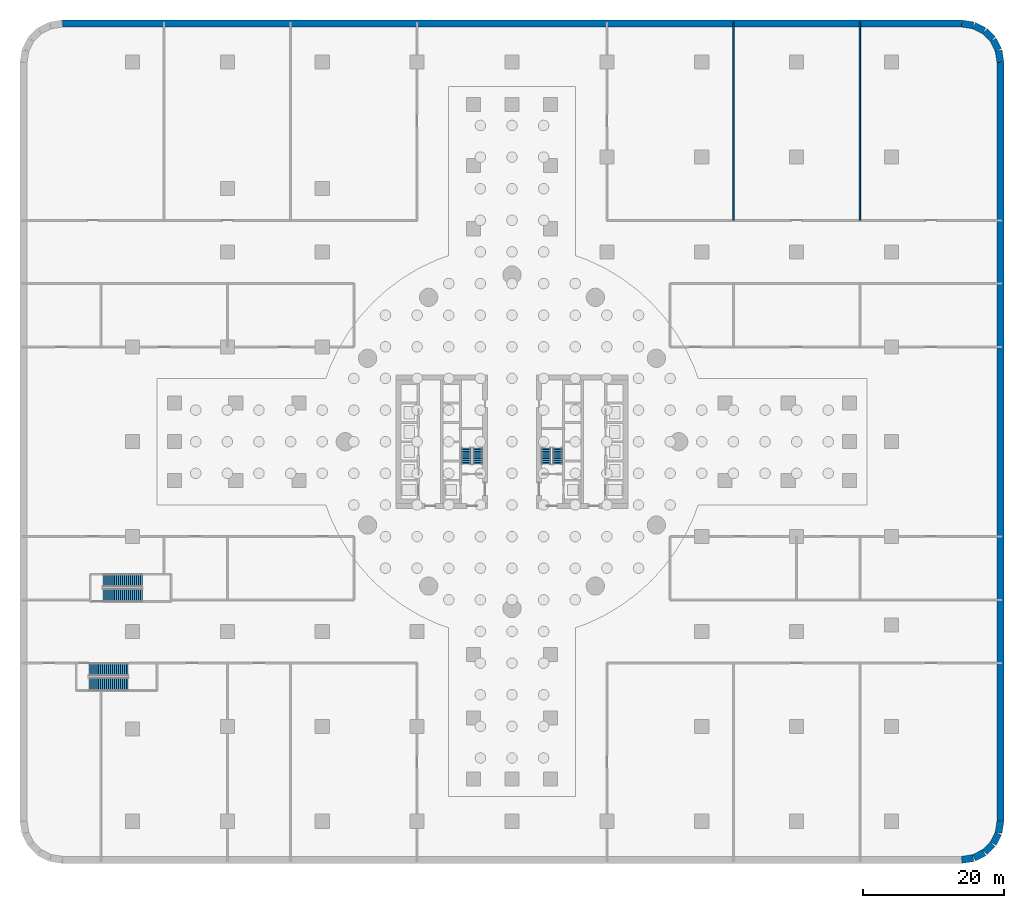
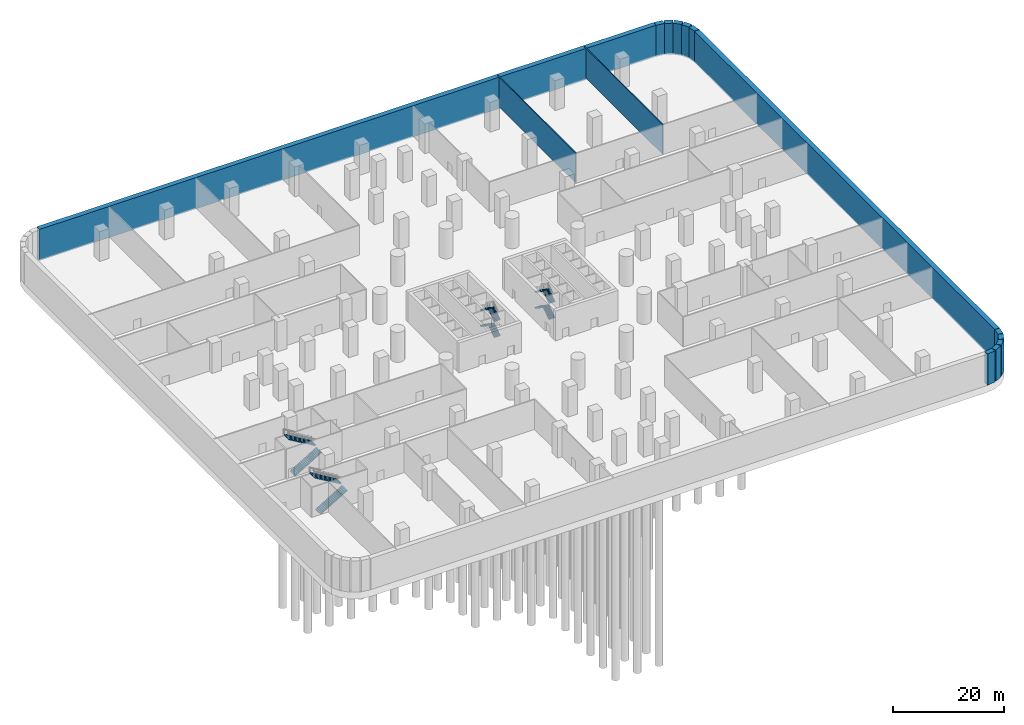
# One storey, part 10 of 13: 14 walls, 12 stair flights, 4 elements without a shape of their own.
"""IFC4 building model written with IfcOpenShell, lengths in metres."""

from ifc_helpers import new_model, si_unit, direction, frame, frame_2d, origin, place, context, subcontext, project, spatial, polyline, rectangle, outline, extrude, material, layer, layer_set, type_object, element, aggregate, save


model = new_model("IFC4")

# Units and contexts
model_context = context("Model", 3, precision=1e-05, world=origin(), true_north=direction((0.0, 1.0)))
body_context = subcontext(model_context, "Body", "Model", "MODEL_VIEW")
ifc_project = project(units=[si_unit("LENGTHUNIT", "METRE"), si_unit("AREAUNIT", "SQUARE_METRE"), si_unit("VOLUMEUNIT", "CUBIC_METRE"), si_unit("PLANEANGLEUNIT", "RADIAN"), si_unit("MASSUNIT", "GRAM", prefix="KILO")], contexts=[model_context])

# Site, building, storey
site_placement = place(None, origin())
site = spatial("IfcSite", under=ifc_project, at=site_placement, CompositionType="ELEMENT")
building_placement = place(site_placement, origin())
building = spatial("IfcBuilding", under=site, at=building_placement, Name="Tamarind Cross Interchange Tower", CompositionType="ELEMENT")
storey_placement = place(building_placement, frame((0.0, 0.0, -21.0)))
storey = spatial("IfcBuildingStorey", under=building, at=storey_placement, Name="B3", CompositionType="ELEMENT", Elevation=-21.0)

# Walls
ifc_material_1 = material(Name="Concrete C40", Category="concrete")
ifc_layer_1 = layer(ifc_material_1, 1.0)
ifc_layer_set_1 = layer_set([ifc_layer_1], Name="Concrete C40")
wall_type_1 = type_object("IfcWallType", Name="Basement wall 1000 Concrete C40", PredefinedType="SOLIDWALL", material=ifc_layer_set_1)
wall_1_placement = place(storey_placement, frame((-63.931396484375, 59.5, -0.300048828125), z_axis=(0.0, 0.0, 1.0), x_axis=(1.0, 0.0, 0.0)))
element("IfcWall", 1, at=wall_1_placement, inside=storey, type_object=wall_type_1, Name="Basement wall B3-13", PredefinedType="SOLIDWALL", context=body_context, shape_type="SweptSolid", body=[
    extrude(rectangle(XDim=127.86279296875, YDim=1.0, at=frame_2d((63.931396484375, 0.0))), origin(), (0.0, 0.0, 1.0), 6.85009765625),
])
wall_2_placement = place(storey_placement, frame((63.989501953125, 59.495361328125, -0.300048828125), z_axis=(0.0, 0.0, 1.0), x_axis=(0.987688946427, -0.156430639922, 0.0)))
element("IfcWall", 2, at=wall_2_placement, inside=storey, type_object=wall_type_1, Name="Basement wall B3-14", PredefinedType="SOLIDWALL", context=body_context, shape_type="SweptSolid", body=[
    extrude(rectangle(XDim=1.66064453125, YDim=1.0, at=frame_2d((0.830322265625, 0.0))), origin(), (0.0, 0.0, 1.0), 6.85009765625),
])
for number, where, z_axis, x_axis, name in (
    (3, (65.759033203125, 59.193603515625, -0.300048828125), (0.0, 0.0, 1.0), (0.891004140764, -0.453995177443, 0.0), "Basement wall B3-15"),
    (4, (67.27783203125, 58.395751953125, -0.300048828125), (0.0, 0.0, 1.0), (0.707106781187, -0.707106781187, 0.0), "Basement wall B3-16"),
    (5, (68.475830078125, 57.167724609375, -0.300048828125), (0.0, 0.0, 1.0), (0.453995177443, -0.891004140764, 0.0), "Basement wall B3-17"),
):
    element("IfcWall", number, at=place(storey_placement, frame(where, z_axis=z_axis, x_axis=x_axis)), inside=storey, type_object=wall_type_1, Name=name, PredefinedType="SOLIDWALL", context=body_context, shape_type="SweptSolid", body=[
        extrude(rectangle(XDim=1.5810546875, YDim=1.0, at=frame_2d((0.79052734375, 0.0))), origin(), (0.0, 0.0, 1.0), 6.85009765625),
    ])
wall_3_placement = place(storey_placement, frame((69.235595703125, 55.629638671875, -0.300048828125), z_axis=(0.0, 0.0, 1.0), x_axis=(0.156430639922, -0.987688946427, 0.0)))
element("IfcWall", 6, at=wall_3_placement, inside=storey, type_object=wall_type_1, Name="Basement wall B3-18", PredefinedType="SOLIDWALL", context=body_context, shape_type="SweptSolid", body=[
    extrude(rectangle(XDim=1.66064453125, YDim=1.0, at=frame_2d((0.830322265625, 0.0))), origin(), (0.0, 0.0, 1.0), 6.85009765625),
])
wall_4_placement = place(storey_placement, frame((69.5, 53.931396484375, -0.300048828125), z_axis=(0.0, 0.0, 1.0), x_axis=(0.0, -1.0, 0.0)))
element("IfcWall", 7, at=wall_4_placement, inside=storey, type_object=wall_type_1, Name="Basement wall B3-19", PredefinedType="SOLIDWALL", context=body_context, shape_type="SweptSolid", body=[
    extrude(rectangle(XDim=107.86279296875, YDim=1.0, at=frame_2d((53.931396484375, 0.0))), origin(), (0.0, 0.0, 1.0), 6.85009765625),
])
wall_5_placement = place(storey_placement, frame((69.495361328125, -53.989501953125, -0.300048828125), z_axis=(0.0, 0.0, 1.0), x_axis=(-0.156430639922, -0.987688946427, 0.0)))
element("IfcWall", 8, at=wall_5_placement, inside=storey, type_object=wall_type_1, Name="Basement wall B3-20", PredefinedType="SOLIDWALL", context=body_context, shape_type="SweptSolid", body=[
    extrude(rectangle(XDim=1.66064453125, YDim=1.0, at=frame_2d((0.830322265625, 0.0))), origin(), (0.0, 0.0, 1.0), 6.85009765625),
])
for number, where, z_axis, x_axis, name in (
    (9, (69.193603515625, -55.759033203125, -0.300048828125), (0.0, 0.0, 1.0), (-0.453995177443, -0.891004140764, 0.0), "Basement wall B3-21"),
    (10, (68.395751953125, -57.27783203125, -0.300048828125), (0.0, 0.0, 1.0), (-0.707106781187, -0.707106781187, 0.0), "Basement wall B3-22"),
    (11, (67.167724609375, -58.475830078125, -0.300048828125), (0.0, 0.0, 1.0), (-0.891004140764, -0.453995177443, 0.0), "Basement wall B3-23"),
):
    element("IfcWall", number, at=place(storey_placement, frame(where, z_axis=z_axis, x_axis=x_axis)), inside=storey, type_object=wall_type_1, Name=name, PredefinedType="SOLIDWALL", context=body_context, shape_type="SweptSolid", body=[
        extrude(rectangle(XDim=1.5810546875, YDim=1.0, at=frame_2d((0.79052734375, 0.0))), origin(), (0.0, 0.0, 1.0), 6.85009765625),
    ])
wall_6_placement = place(storey_placement, frame((65.629638671875, -59.235595703125, -0.300048828125), z_axis=(0.0, 0.0, 1.0), x_axis=(-0.987688946427, -0.156430639922, 0.0)))
element("IfcWall", 12, at=wall_6_placement, inside=storey, type_object=wall_type_1, Name="Basement wall B3-24", PredefinedType="SOLIDWALL", context=body_context, shape_type="SweptSolid", body=[
    extrude(rectangle(XDim=1.66064453125, YDim=1.0, at=frame_2d((0.830322265625, 0.0))), origin(), (0.0, 0.0, 1.0), 6.85009765625),
])
ifc_material_2 = material(Name="Masonry partition, fire-rated", Category="masonry")
ifc_layer_2 = layer(ifc_material_2, 0.199951171875)
ifc_layer_set_2 = layer_set([ifc_layer_2], Name="Masonry partition, fire-rated")
wall_type_2 = type_object("IfcWallType", Name="Fire partition 200 EI 120", PredefinedType="PARTITIONING", material=ifc_layer_set_2)
for number, where, z_axis, x_axis, name in (
    (13, (31.5, 31.5, 0.0), (0.0, 0.0, 1.0), (0.0, 1.0, 0.0), "B3 partition 39"),
    (14, (49.5, 31.5, 0.0), (0.0, 0.0, 1.0), (0.0, 1.0, 0.0), "B3 partition 47"),
):
    element("IfcWall", number, at=place(storey_placement, frame(where, z_axis=z_axis, x_axis=x_axis)), inside=storey, type_object=wall_type_2, Name=name, PredefinedType="PARTITIONING", context=body_context, shape_type="SweptSolid", body=[
        extrude(rectangle(XDim=28.198974609375, YDim=0.199951171875, at=frame_2d((14.099609375, 0.0))), origin(), (0.0, 0.0, 1.0), 6.550048828125),
    ])

# Stair, stair flights
ifc_material_3 = material(Name="Exit stair")
stair_type_1 = type_object("IfcStairType", Name="Exit stair", PredefinedType="HALF_TURN_STAIR", material=ifc_material_3)
stair_1_placement = place(storey_placement, origin())
stair_1 = element("IfcStair", 15, at=stair_1_placement, inside=storey, type_object=stair_type_1, Name="B3 exit stair ST1", PredefinedType="HALF_TURN_STAIR")
ifc_material_4 = material(Name="Exit stair flight")
stair_flight_type_1 = type_object("IfcStairFlightType", Name="Exit stair flight", PredefinedType="STRAIGHT", material=ifc_material_4)
stair_flight_1_placement = place(storey_placement, frame((-4.85009765625, -3.199951171875, 0.0), z_axis=(0.0, 0.0, 1.0), x_axis=(0.0, 1.0, 0.0)))
stair_flight_1 = element("IfcStairFlight", 16, at=stair_flight_1_placement, type_object=stair_flight_type_1, Name="ST1 flight 1", NumberOfRisers=10, NumberOfTreads=9, PredefinedType="STRAIGHT", RiserHeight=0.175, TreadLength=0.26, context=body_context, shape_type="SweptSolid", body=[
    extrude(outline(polyline([(0.0, 0.0), (0.0, 0.175048828125), (0.260009765625, 0.175048828125), (0.260009765625, 0.35009765625), (0.52001953125, 0.35009765625), (0.52001953125, 0.52490234375), (0.780029296875, 0.52490234375), (0.780029296875, 0.699951171875), (1.0400390625, 0.699951171875), (1.0400390625, 0.875), (1.300048828125, 0.875), (1.300048828125, 1.050048828125), (1.56005859375, 1.050048828125), (1.56005859375, 1.22509765625), (1.820068359375, 1.22509765625), (1.820068359375, 1.39990234375), (2.080078125, 1.39990234375), (2.080078125, 1.574951171875), (2.340087890625, 1.574951171875), (2.340087890625, 1.75), (2.340087890625, 1.394287109375), (0.2685546875, 0.0), (0.0, 0.0)])), frame((0.0, 0.64990234375, 0.0), z_axis=(0.0, -1.0, 0.0), x_axis=(1.0, 0.0, 0.0)), (0.0, 0.0, 1.0), 1.300048828125),
])
stair_flight_2_placement = place(storey_placement, frame((-6.5, -0.860107421875, 1.75), z_axis=(0.0, 0.0, 1.0), x_axis=(0.0, -1.0, 0.0)))
stair_flight_2 = element("IfcStairFlight", 17, at=stair_flight_2_placement, type_object=stair_flight_type_1, Name="ST1 flight 2", NumberOfRisers=10, NumberOfTreads=9, PredefinedType="STRAIGHT", RiserHeight=0.175, TreadLength=0.26, context=body_context, shape_type="SweptSolid", body=[
    extrude(outline(polyline([(0.0, 0.0), (0.0, 0.175048828125), (0.260009765625, 0.175048828125), (0.260009765625, 0.35009765625), (0.52001953125, 0.35009765625), (0.52001953125, 0.52490234375), (0.780029296875, 0.52490234375), (0.780029296875, 0.699951171875), (1.0400390625, 0.699951171875), (1.0400390625, 0.875), (1.300048828125, 0.875), (1.300048828125, 1.050048828125), (1.56005859375, 1.050048828125), (1.56005859375, 1.22509765625), (1.820068359375, 1.22509765625), (1.820068359375, 1.39990234375), (2.080078125, 1.39990234375), (2.080078125, 1.574951171875), (2.340087890625, 1.574951171875), (2.340087890625, 1.75), (2.340087890625, 1.394287109375), (0.2685546875, 0.0), (0.0, 0.0)])), frame((0.0, 0.64990234375, 0.0), z_axis=(0.0, -1.0, 0.0), x_axis=(1.0, 0.0, 0.0)), (0.0, 0.0, 1.0), 1.300048828125),
])
stair_flight_3_placement = place(storey_placement, frame((-4.85009765625, -3.199951171875, 3.5), z_axis=(0.0, 0.0, 1.0), x_axis=(0.0, 1.0, 0.0)))
stair_flight_3 = element("IfcStairFlight", 18, at=stair_flight_3_placement, type_object=stair_flight_type_1, Name="ST1 flight 3", NumberOfRisers=10, NumberOfTreads=9, PredefinedType="STRAIGHT", RiserHeight=0.175, TreadLength=0.26, context=body_context, shape_type="SweptSolid", body=[
    extrude(outline(polyline([(0.0, 0.0), (0.0, 0.175048828125), (0.260009765625, 0.175048828125), (0.260009765625, 0.35009765625), (0.52001953125, 0.35009765625), (0.52001953125, 0.52490234375), (0.780029296875, 0.52490234375), (0.780029296875, 0.699951171875), (1.0400390625, 0.699951171875), (1.0400390625, 0.875), (1.300048828125, 0.875), (1.300048828125, 1.050048828125), (1.56005859375, 1.050048828125), (1.56005859375, 1.22509765625), (1.820068359375, 1.22509765625), (1.820068359375, 1.39990234375), (2.080078125, 1.39990234375), (2.080078125, 1.574951171875), (2.340087890625, 1.574951171875), (2.340087890625, 1.75), (2.340087890625, 1.394287109375), (0.2685546875, 0.0), (0.0, 0.0)])), frame((0.0, 0.64990234375, 0.0), z_axis=(0.0, -1.0, 0.0), x_axis=(1.0, 0.0, 0.0)), (0.0, 0.0, 1.0), 1.300048828125),
])
stair_flight_4_placement = place(storey_placement, frame((-6.5, -0.860107421875, 5.25), z_axis=(0.0, 0.0, 1.0), x_axis=(0.0, -1.0, 0.0)))
stair_flight_4 = element("IfcStairFlight", 19, at=stair_flight_4_placement, type_object=stair_flight_type_1, Name="ST1 flight 4", NumberOfRisers=10, NumberOfTreads=9, PredefinedType="STRAIGHT", RiserHeight=0.175, TreadLength=0.26, context=body_context, shape_type="SweptSolid", body=[
    extrude(outline(polyline([(0.0, 0.0), (0.0, 0.175048828125), (0.260009765625, 0.175048828125), (0.260009765625, 0.35009765625), (0.52001953125, 0.35009765625), (0.52001953125, 0.52490234375), (0.780029296875, 0.52490234375), (0.780029296875, 0.699951171875), (1.0400390625, 0.699951171875), (1.0400390625, 0.875), (1.300048828125, 0.875), (1.300048828125, 1.050048828125), (1.56005859375, 1.050048828125), (1.56005859375, 1.22509765625), (1.820068359375, 1.22509765625), (1.820068359375, 1.39990234375), (2.080078125, 1.39990234375), (2.080078125, 1.574951171875), (2.340087890625, 1.574951171875), (2.340087890625, 1.75), (2.340087890625, 1.394287109375), (0.2685546875, 0.0), (0.0, 0.0)])), frame((0.0, 0.64990234375, 0.0), z_axis=(0.0, -1.0, 0.0), x_axis=(1.0, 0.0, 0.0)), (0.0, 0.0, 1.0), 1.300048828125),
])
aggregate(stair_1, [stair_flight_1, stair_flight_2, stair_flight_3, stair_flight_4])

stair_2_placement = place(storey_placement, origin())
stair_2 = element("IfcStair", 20, at=stair_2_placement, inside=storey, type_object=stair_type_1, Name="B3 exit stair ST2", PredefinedType="HALF_TURN_STAIR")
stair_flight_5_placement = place(storey_placement, frame((6.5, -3.199951171875, 0.0), z_axis=(0.0, 0.0, 1.0), x_axis=(0.0, 1.0, 0.0)))
stair_flight_5 = element("IfcStairFlight", 21, at=stair_flight_5_placement, type_object=stair_flight_type_1, Name="ST2 flight 1", NumberOfRisers=10, NumberOfTreads=9, PredefinedType="STRAIGHT", RiserHeight=0.175, TreadLength=0.26, context=body_context, shape_type="SweptSolid", body=[
    extrude(outline(polyline([(0.0, 0.0), (0.0, 0.175048828125), (0.260009765625, 0.175048828125), (0.260009765625, 0.35009765625), (0.52001953125, 0.35009765625), (0.52001953125, 0.52490234375), (0.780029296875, 0.52490234375), (0.780029296875, 0.699951171875), (1.0400390625, 0.699951171875), (1.0400390625, 0.875), (1.300048828125, 0.875), (1.300048828125, 1.050048828125), (1.56005859375, 1.050048828125), (1.56005859375, 1.22509765625), (1.820068359375, 1.22509765625), (1.820068359375, 1.39990234375), (2.080078125, 1.39990234375), (2.080078125, 1.574951171875), (2.340087890625, 1.574951171875), (2.340087890625, 1.75), (2.340087890625, 1.394287109375), (0.2685546875, 0.0), (0.0, 0.0)])), frame((0.0, 0.64990234375, 0.0), z_axis=(0.0, -1.0, 0.0), x_axis=(1.0, 0.0, 0.0)), (0.0, 0.0, 1.0), 1.300048828125),
])
stair_flight_6_placement = place(storey_placement, frame((4.85009765625, -0.860107421875, 1.75), z_axis=(0.0, 0.0, 1.0), x_axis=(0.0, -1.0, 0.0)))
stair_flight_6 = element("IfcStairFlight", 22, at=stair_flight_6_placement, type_object=stair_flight_type_1, Name="ST2 flight 2", NumberOfRisers=10, NumberOfTreads=9, PredefinedType="STRAIGHT", RiserHeight=0.175, TreadLength=0.26, context=body_context, shape_type="SweptSolid", body=[
    extrude(outline(polyline([(0.0, 0.0), (0.0, 0.175048828125), (0.260009765625, 0.175048828125), (0.260009765625, 0.35009765625), (0.52001953125, 0.35009765625), (0.52001953125, 0.52490234375), (0.780029296875, 0.52490234375), (0.780029296875, 0.699951171875), (1.0400390625, 0.699951171875), (1.0400390625, 0.875), (1.300048828125, 0.875), (1.300048828125, 1.050048828125), (1.56005859375, 1.050048828125), (1.56005859375, 1.22509765625), (1.820068359375, 1.22509765625), (1.820068359375, 1.39990234375), (2.080078125, 1.39990234375), (2.080078125, 1.574951171875), (2.340087890625, 1.574951171875), (2.340087890625, 1.75), (2.340087890625, 1.394287109375), (0.2685546875, 0.0), (0.0, 0.0)])), frame((0.0, 0.64990234375, 0.0), z_axis=(0.0, -1.0, 0.0), x_axis=(1.0, 0.0, 0.0)), (0.0, 0.0, 1.0), 1.300048828125),
])
stair_flight_7_placement = place(storey_placement, frame((6.5, -3.199951171875, 3.5), z_axis=(0.0, 0.0, 1.0), x_axis=(0.0, 1.0, 0.0)))
stair_flight_7 = element("IfcStairFlight", 23, at=stair_flight_7_placement, type_object=stair_flight_type_1, Name="ST2 flight 3", NumberOfRisers=10, NumberOfTreads=9, PredefinedType="STRAIGHT", RiserHeight=0.175, TreadLength=0.26, context=body_context, shape_type="SweptSolid", body=[
    extrude(outline(polyline([(0.0, 0.0), (0.0, 0.175048828125), (0.260009765625, 0.175048828125), (0.260009765625, 0.35009765625), (0.52001953125, 0.35009765625), (0.52001953125, 0.52490234375), (0.780029296875, 0.52490234375), (0.780029296875, 0.699951171875), (1.0400390625, 0.699951171875), (1.0400390625, 0.875), (1.300048828125, 0.875), (1.300048828125, 1.050048828125), (1.56005859375, 1.050048828125), (1.56005859375, 1.22509765625), (1.820068359375, 1.22509765625), (1.820068359375, 1.39990234375), (2.080078125, 1.39990234375), (2.080078125, 1.574951171875), (2.340087890625, 1.574951171875), (2.340087890625, 1.75), (2.340087890625, 1.394287109375), (0.2685546875, 0.0), (0.0, 0.0)])), frame((0.0, 0.64990234375, 0.0), z_axis=(0.0, -1.0, 0.0), x_axis=(1.0, 0.0, 0.0)), (0.0, 0.0, 1.0), 1.300048828125),
])
stair_flight_8_placement = place(storey_placement, frame((4.85009765625, -0.860107421875, 5.25), z_axis=(0.0, 0.0, 1.0), x_axis=(0.0, -1.0, 0.0)))
stair_flight_8 = element("IfcStairFlight", 24, at=stair_flight_8_placement, type_object=stair_flight_type_1, Name="ST2 flight 4", NumberOfRisers=10, NumberOfTreads=9, PredefinedType="STRAIGHT", RiserHeight=0.175, TreadLength=0.26, context=body_context, shape_type="SweptSolid", body=[
    extrude(outline(polyline([(0.0, 0.0), (0.0, 0.175048828125), (0.260009765625, 0.175048828125), (0.260009765625, 0.35009765625), (0.52001953125, 0.35009765625), (0.52001953125, 0.52490234375), (0.780029296875, 0.52490234375), (0.780029296875, 0.699951171875), (1.0400390625, 0.699951171875), (1.0400390625, 0.875), (1.300048828125, 0.875), (1.300048828125, 1.050048828125), (1.56005859375, 1.050048828125), (1.56005859375, 1.22509765625), (1.820068359375, 1.22509765625), (1.820068359375, 1.39990234375), (2.080078125, 1.39990234375), (2.080078125, 1.574951171875), (2.340087890625, 1.574951171875), (2.340087890625, 1.75), (2.340087890625, 1.394287109375), (0.2685546875, 0.0), (0.0, 0.0)])), frame((0.0, 0.64990234375, 0.0), z_axis=(0.0, -1.0, 0.0), x_axis=(1.0, 0.0, 0.0)), (0.0, 0.0, 1.0), 1.300048828125),
])
aggregate(stair_2, [stair_flight_5, stair_flight_6, stair_flight_7, stair_flight_8])

ifc_material_5 = material(Name="Public stair")
stair_type_2 = type_object("IfcStairType", Name="Public stair", PredefinedType="HALF_TURN_STAIR", material=ifc_material_5)
stair_3_placement = place(storey_placement, origin())
stair_3 = element("IfcStair", 25, at=stair_3_placement, inside=storey, type_object=stair_type_2, Name="B3 exit stair XS-P07", PredefinedType="HALF_TURN_STAIR")
ifc_material_6 = material(Name="Public stair flight")
stair_flight_type_2 = type_object("IfcStairFlightType", Name="Public stair flight", PredefinedType="STRAIGHT", material=ifc_material_6)
stair_flight_9_placement = place(storey_placement, frame((-60.199951171875, -34.5, 0.0), z_axis=(0.0, 0.0, 1.0), x_axis=(1.0, 0.0, 0.0)))
stair_flight_9 = element("IfcStairFlight", 26, at=stair_flight_9_placement, type_object=stair_flight_type_2, Name="XS-P07 flight 1", NumberOfRisers=21, NumberOfTreads=20, PredefinedType="STRAIGHT", RiserHeight=0.166666667, TreadLength=0.28, context=body_context, shape_type="SweptSolid", body=[
    extrude(outline(polyline([(0.0, 0.0), (0.0, 0.166748046875), (0.280029296875, 0.166748046875), (0.280029296875, 0.333251953125), (0.56005859375, 0.333251953125), (0.56005859375, 0.5), (0.840087890625, 0.5), (0.840087890625, 0.666748046875), (1.1201171875, 0.666748046875), (1.1201171875, 0.833251953125), (1.39990234375, 0.833251953125), (1.39990234375, 1.0), (1.679931640625, 1.0), (1.679931640625, 1.166748046875), (1.9599609375, 1.166748046875), (1.9599609375, 1.333251953125), (2.239990234375, 1.333251953125), (2.239990234375, 1.5), (2.52001953125, 1.5), (2.52001953125, 1.666748046875), (2.800048828125, 1.666748046875), (2.800048828125, 1.833251953125), (3.080078125, 1.833251953125), (3.080078125, 2.0), (3.360107421875, 2.0), (3.360107421875, 2.166748046875), (3.639892578125, 2.166748046875), (3.639892578125, 2.333251953125), (3.919921875, 2.333251953125), (3.919921875, 2.5), (4.199951171875, 2.5), (4.199951171875, 2.666748046875), (4.47998046875, 2.666748046875), (4.47998046875, 2.833251953125), (4.760009765625, 2.833251953125), (4.760009765625, 3.0), (5.0400390625, 3.0), (5.0400390625, 3.166748046875), (5.320068359375, 3.166748046875), (5.320068359375, 3.333251953125), (5.60009765625, 3.333251953125), (5.60009765625, 3.5), (5.60009765625, 3.158935546875), (0.29296875, 0.0), (0.0, 0.0)])), frame((0.0, 0.89990234375, 0.0), z_axis=(0.0, -1.0, 0.0), x_axis=(1.0, 0.0, 0.0)), (0.0, 0.0, 1.0), 1.800048828125),
])
stair_flight_10_placement = place(storey_placement, frame((-54.60009765625, -32.39990234375, 3.5), z_axis=(0.0, 0.0, 1.0), x_axis=(-1.0, 0.0, 0.0)))
stair_flight_10 = element("IfcStairFlight", 27, at=stair_flight_10_placement, type_object=stair_flight_type_2, Name="XS-P07 flight 2", NumberOfRisers=21, NumberOfTreads=20, PredefinedType="STRAIGHT", RiserHeight=0.166666667, TreadLength=0.28, context=body_context, shape_type="SweptSolid", body=[
    extrude(outline(polyline([(0.0, 0.0), (0.0, 0.166748046875), (0.280029296875, 0.166748046875), (0.280029296875, 0.333251953125), (0.56005859375, 0.333251953125), (0.56005859375, 0.5), (0.840087890625, 0.5), (0.840087890625, 0.666748046875), (1.1201171875, 0.666748046875), (1.1201171875, 0.833251953125), (1.39990234375, 0.833251953125), (1.39990234375, 1.0), (1.679931640625, 1.0), (1.679931640625, 1.166748046875), (1.9599609375, 1.166748046875), (1.9599609375, 1.333251953125), (2.239990234375, 1.333251953125), (2.239990234375, 1.5), (2.52001953125, 1.5), (2.52001953125, 1.666748046875), (2.800048828125, 1.666748046875), (2.800048828125, 1.833251953125), (3.080078125, 1.833251953125), (3.080078125, 2.0), (3.360107421875, 2.0), (3.360107421875, 2.166748046875), (3.639892578125, 2.166748046875), (3.639892578125, 2.333251953125), (3.919921875, 2.333251953125), (3.919921875, 2.5), (4.199951171875, 2.5), (4.199951171875, 2.666748046875), (4.47998046875, 2.666748046875), (4.47998046875, 2.833251953125), (4.760009765625, 2.833251953125), (4.760009765625, 3.0), (5.0400390625, 3.0), (5.0400390625, 3.166748046875), (5.320068359375, 3.166748046875), (5.320068359375, 3.333251953125), (5.60009765625, 3.333251953125), (5.60009765625, 3.5), (5.60009765625, 3.158935546875), (0.29296875, 0.0), (0.0, 0.0)])), frame((0.0, 0.89990234375, 0.0), z_axis=(0.0, -1.0, 0.0), x_axis=(1.0, 0.0, 0.0)), (0.0, 0.0, 1.0), 1.800048828125),
])
aggregate(stair_3, [stair_flight_9, stair_flight_10])

stair_4_placement = place(storey_placement, origin())
stair_4 = element("IfcStair", 28, at=stair_4_placement, inside=storey, type_object=stair_type_2, Name="B3 exit stair XS-P08", PredefinedType="HALF_TURN_STAIR")
stair_flight_11_placement = place(storey_placement, frame((-58.199951171875, -21.85009765625, 0.0), z_axis=(0.0, 0.0, 1.0), x_axis=(1.0, 0.0, 0.0)))
stair_flight_11 = element("IfcStairFlight", 29, at=stair_flight_11_placement, type_object=stair_flight_type_2, Name="XS-P08 flight 1", NumberOfRisers=21, NumberOfTreads=20, PredefinedType="STRAIGHT", RiserHeight=0.166666667, TreadLength=0.28, context=body_context, shape_type="SweptSolid", body=[
    extrude(outline(polyline([(0.0, 0.0), (0.0, 0.166748046875), (0.280029296875, 0.166748046875), (0.280029296875, 0.333251953125), (0.56005859375, 0.333251953125), (0.56005859375, 0.5), (0.840087890625, 0.5), (0.840087890625, 0.666748046875), (1.1201171875, 0.666748046875), (1.1201171875, 0.833251953125), (1.39990234375, 0.833251953125), (1.39990234375, 1.0), (1.679931640625, 1.0), (1.679931640625, 1.166748046875), (1.9599609375, 1.166748046875), (1.9599609375, 1.333251953125), (2.239990234375, 1.333251953125), (2.239990234375, 1.5), (2.52001953125, 1.5), (2.52001953125, 1.666748046875), (2.800048828125, 1.666748046875), (2.800048828125, 1.833251953125), (3.080078125, 1.833251953125), (3.080078125, 2.0), (3.360107421875, 2.0), (3.360107421875, 2.166748046875), (3.639892578125, 2.166748046875), (3.639892578125, 2.333251953125), (3.919921875, 2.333251953125), (3.919921875, 2.5), (4.199951171875, 2.5), (4.199951171875, 2.666748046875), (4.47998046875, 2.666748046875), (4.47998046875, 2.833251953125), (4.760009765625, 2.833251953125), (4.760009765625, 3.0), (5.0400390625, 3.0), (5.0400390625, 3.166748046875), (5.320068359375, 3.166748046875), (5.320068359375, 3.333251953125), (5.60009765625, 3.333251953125), (5.60009765625, 3.5), (5.60009765625, 3.158935546875), (0.29296875, 0.0), (0.0, 0.0)])), frame((0.0, 0.89990234375, 0.0), z_axis=(0.0, -1.0, 0.0), x_axis=(1.0, 0.0, 0.0)), (0.0, 0.0, 1.0), 1.800048828125),
])
stair_flight_12_placement = place(storey_placement, frame((-52.60009765625, -19.75, 3.5), z_axis=(0.0, 0.0, 1.0), x_axis=(-1.0, 0.0, 0.0)))
stair_flight_12 = element("IfcStairFlight", 30, at=stair_flight_12_placement, type_object=stair_flight_type_2, Name="XS-P08 flight 2", NumberOfRisers=21, NumberOfTreads=20, PredefinedType="STRAIGHT", RiserHeight=0.166666667, TreadLength=0.28, context=body_context, shape_type="SweptSolid", body=[
    extrude(outline(polyline([(0.0, 0.0), (0.0, 0.166748046875), (0.280029296875, 0.166748046875), (0.280029296875, 0.333251953125), (0.56005859375, 0.333251953125), (0.56005859375, 0.5), (0.840087890625, 0.5), (0.840087890625, 0.666748046875), (1.1201171875, 0.666748046875), (1.1201171875, 0.833251953125), (1.39990234375, 0.833251953125), (1.39990234375, 1.0), (1.679931640625, 1.0), (1.679931640625, 1.166748046875), (1.9599609375, 1.166748046875), (1.9599609375, 1.333251953125), (2.239990234375, 1.333251953125), (2.239990234375, 1.5), (2.52001953125, 1.5), (2.52001953125, 1.666748046875), (2.800048828125, 1.666748046875), (2.800048828125, 1.833251953125), (3.080078125, 1.833251953125), (3.080078125, 2.0), (3.360107421875, 2.0), (3.360107421875, 2.166748046875), (3.639892578125, 2.166748046875), (3.639892578125, 2.333251953125), (3.919921875, 2.333251953125), (3.919921875, 2.5), (4.199951171875, 2.5), (4.199951171875, 2.666748046875), (4.47998046875, 2.666748046875), (4.47998046875, 2.833251953125), (4.760009765625, 2.833251953125), (4.760009765625, 3.0), (5.0400390625, 3.0), (5.0400390625, 3.166748046875), (5.320068359375, 3.166748046875), (5.320068359375, 3.333251953125), (5.60009765625, 3.333251953125), (5.60009765625, 3.5), (5.60009765625, 3.158935546875), (0.29296875, 0.0), (0.0, 0.0)])), frame((0.0, 0.89990234375, 0.0), z_axis=(0.0, -1.0, 0.0), x_axis=(1.0, 0.0, 0.0)), (0.0, 0.0, 1.0), 1.800048828125),
])
aggregate(stair_4, [stair_flight_11, stair_flight_12])

save(model, "model.ifc")
